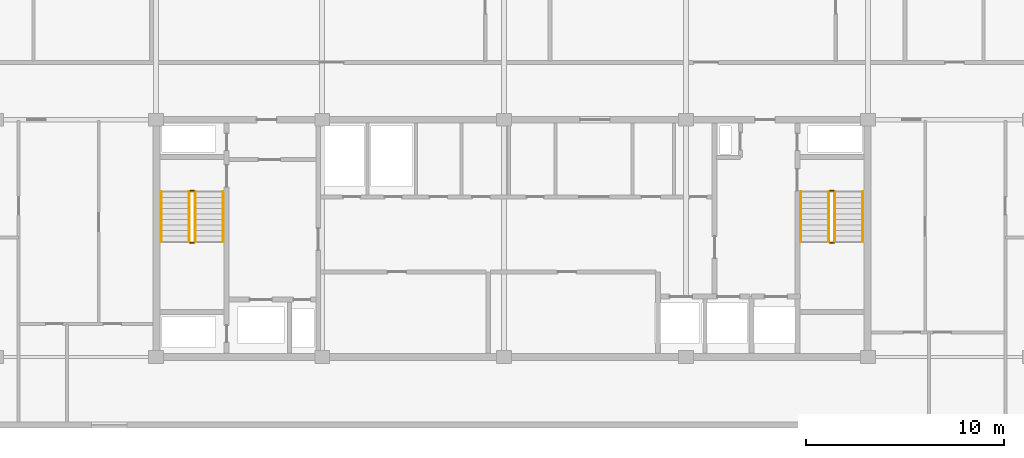
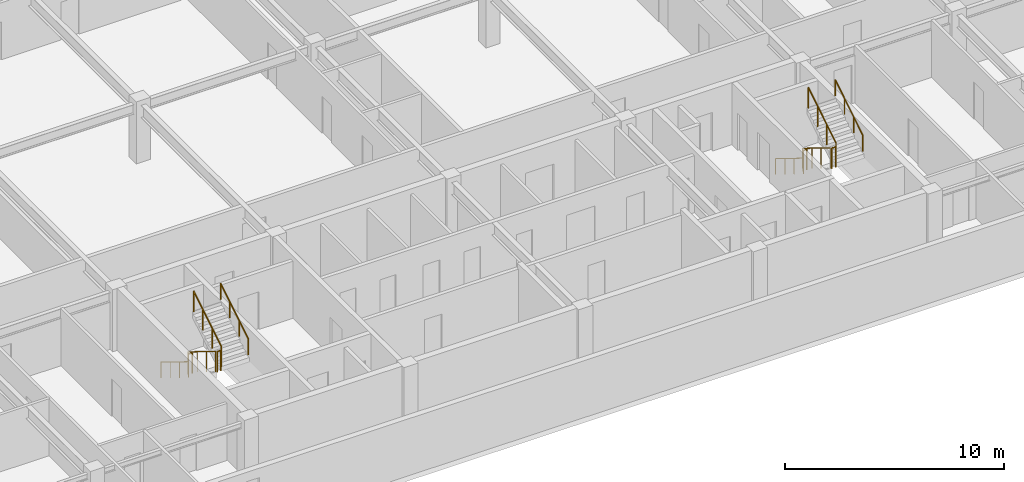
# One storey, part 9 of 10: 12 railings.
"""IFC4 building model written with IfcOpenShell, lengths in metres."""

from ifc_helpers import new_model, si_unit, direction, frame, origin, origin_2d, place, context, subcontext, project, spatial, circle, extrude, material, type_object, element, save


model = new_model("IFC4")

# Units and contexts
model_context = context("Model", 3, precision=1e-05, world=origin(), true_north=direction((0.0, 1.0)))
body_context = subcontext(model_context, "Body", "Model", "MODEL_VIEW")
ifc_project = project(units=[si_unit("LENGTHUNIT", "METRE"), si_unit("AREAUNIT", "SQUARE_METRE"), si_unit("VOLUMEUNIT", "CUBIC_METRE"), si_unit("PLANEANGLEUNIT", "RADIAN"), si_unit("MASSUNIT", "GRAM", prefix="KILO")], contexts=[model_context])

# Site, building, storey
site_placement = place(None, origin())
site = spatial("IfcSite", under=ifc_project, at=site_placement, CompositionType="ELEMENT")
building_placement = place(site_placement, origin())
building = spatial("IfcBuilding", under=site, at=building_placement, Name="Korimba Cascade Residences", CompositionType="ELEMENT")
storey_placement = place(building_placement, frame((0.0, 0.0, 242.449951171875)))
storey = spatial("IfcBuildingStorey", under=building, at=storey_placement, Name="L70", CompositionType="ELEMENT", Elevation=242.449951171875)

# Railings
ifc_material_1 = material(Name="Painted Steel Stairwell Guardrail", Category="steel")
railing_type_1 = type_object("IfcRailingType", Name="RLG-ST-GD1150", PredefinedType="GUARDRAIL", material=ifc_material_1)
railing_1_placement = place(storey_placement, frame((77.77001953125, 63.550048828125, 0.172607421875)))
element("IfcRailing", 1, at=railing_1_placement, inside=storey, type_object=railing_type_1, Name="L70 ST-W1 stair guard 1", PredefinedType="GUARDRAIL", context=body_context, shape_type="SweptSolid", body=[
    extrude(circle(Radius=0.02392578125, at=origin_2d()), frame((0.0, 0.0, 1.1259765625), z_axis=(0.0, -0.851400495292, 0.524516154772), x_axis=(1.0, 0.0, 0.0)), (0.0, 0.0, 1.0), 2.9599609375),
    extrude(circle(Radius=0.02099609375, at=origin_2d()), origin(), (0.0, 0.0, 1.0), 1.101806640625),
    extrude(circle(Radius=0.02099609375, at=origin_2d()), frame((0.0, -0.840087890625, 0.517578125)), (0.0, 0.0, 1.0), 1.101806640625),
    extrude(circle(Radius=0.02099609375, at=origin_2d()), frame((0.0, -1.679931640625, 1.034912109375)), (0.0, 0.0, 1.0), 1.101806640625),
    extrude(circle(Radius=0.02099609375, at=origin_2d()), frame((0.0, -2.52001953125, 1.552490234375)), (0.0, 0.0, 1.0), 1.101806640625),
])
railing_2_placement = place(storey_placement, frame((77.820068359375, 60.97998046875, 1.72509765625)))
element("IfcRailing", 2, at=railing_2_placement, inside=storey, type_object=railing_type_1, Name="L70 ST-W1 stair guard 2", PredefinedType="GUARDRAIL", context=body_context, shape_type="SweptSolid", body=[
    extrude(circle(Radius=0.02392578125, at=origin_2d()), frame((0.0, 0.0, 1.1259765625), z_axis=(1.0, 0.0, 0.0), x_axis=(0.0, 1.0, 0.0)), (0.0, 0.0, 1.0), 0.199951171875),
    extrude(circle(Radius=0.02099609375, at=origin_2d()), origin(), (0.0, 0.0, 1.0), 1.101806640625),
    extrude(circle(Radius=0.02099609375, at=origin_2d()), frame((0.199951171875, 0.0, 0.0)), (0.0, 0.0, 1.0), 1.101806640625),
])
railing_3_placement = place(storey_placement, frame((78.070068359375, 61.030029296875, 1.8974609375)))
element("IfcRailing", 3, at=railing_3_placement, inside=storey, type_object=railing_type_1, Name="L70 ST-W1 stair guard 3", PredefinedType="GUARDRAIL", context=body_context, shape_type="SweptSolid", body=[
    extrude(circle(Radius=0.02392578125, at=origin_2d()), frame((0.0, 0.0, 1.1259765625), z_axis=(0.0, 0.851400495292, 0.524516154772), x_axis=(-1.0, 0.0, 0.0)), (0.0, 0.0, 1.0), 2.9599609375),
    extrude(circle(Radius=0.02099609375, at=origin_2d()), origin(), (0.0, 0.0, 1.0), 1.101806640625),
    extrude(circle(Radius=0.02099609375, at=origin_2d()), frame((0.0, 0.840087890625, 0.517578125)), (0.0, 0.0, 1.0), 1.101806640625),
    extrude(circle(Radius=0.02099609375, at=origin_2d()), frame((0.0, 1.679931640625, 1.034912109375)), (0.0, 0.0, 1.0), 1.101806640625),
    extrude(circle(Radius=0.02099609375, at=origin_2d()), frame((0.0, 2.52001953125, 1.552490234375)), (0.0, 0.0, 1.0), 1.101806640625),
])
railing_4_placement = place(storey_placement, frame((77.820068359375, 63.60009765625, 0.0)))
element("IfcRailing", 4, at=railing_4_placement, inside=storey, type_object=railing_type_1, Name="L70 ST-W1 stair guard 4", PredefinedType="GUARDRAIL", context=body_context, shape_type="SweptSolid", body=[
    extrude(circle(Radius=0.02392578125, at=origin_2d()), frame((0.0, 0.0, 1.1259765625), z_axis=(1.0, 0.0, 0.0), x_axis=(0.0, 1.0, 0.0)), (0.0, 0.0, 1.0), 0.199951171875),
    extrude(circle(Radius=0.02099609375, at=origin_2d()), origin(), (0.0, 0.0, 1.0), 1.101806640625),
    extrude(circle(Radius=0.02099609375, at=origin_2d()), frame((0.199951171875, 0.0, 0.0)), (0.0, 0.0, 1.0), 1.101806640625),
])
railing_5_placement = place(storey_placement, frame((110.1298828125, 63.550048828125, 0.172607421875)))
element("IfcRailing", 5, at=railing_5_placement, inside=storey, type_object=railing_type_1, Name="L70 ST-W2 stair guard 1", PredefinedType="GUARDRAIL", context=body_context, shape_type="SweptSolid", body=[
    extrude(circle(Radius=0.02392578125, at=origin_2d()), frame((0.0, 0.0, 1.1259765625), z_axis=(0.0, -0.851400495292, 0.524516154772), x_axis=(1.0, 0.0, 0.0)), (0.0, 0.0, 1.0), 2.9599609375),
    extrude(circle(Radius=0.02099609375, at=origin_2d()), origin(), (0.0, 0.0, 1.0), 1.101806640625),
    extrude(circle(Radius=0.02099609375, at=origin_2d()), frame((0.0, -0.840087890625, 0.517578125)), (0.0, 0.0, 1.0), 1.101806640625),
    extrude(circle(Radius=0.02099609375, at=origin_2d()), frame((0.0, -1.679931640625, 1.034912109375)), (0.0, 0.0, 1.0), 1.101806640625),
    extrude(circle(Radius=0.02099609375, at=origin_2d()), frame((0.0, -2.52001953125, 1.552490234375)), (0.0, 0.0, 1.0), 1.101806640625),
])
railing_6_placement = place(storey_placement, frame((110.179931640625, 60.97998046875, 1.72509765625)))
element("IfcRailing", 6, at=railing_6_placement, inside=storey, type_object=railing_type_1, Name="L70 ST-W2 stair guard 2", PredefinedType="GUARDRAIL", context=body_context, shape_type="SweptSolid", body=[
    extrude(circle(Radius=0.02392578125, at=origin_2d()), frame((0.0, 0.0, 1.1259765625), z_axis=(1.0, 0.0, 0.0), x_axis=(0.0, 1.0, 0.0)), (0.0, 0.0, 1.0), 0.199951171875),
    extrude(circle(Radius=0.02099609375, at=origin_2d()), origin(), (0.0, 0.0, 1.0), 1.101806640625),
    extrude(circle(Radius=0.02099609375, at=origin_2d()), frame((0.199951171875, 0.0, 0.0)), (0.0, 0.0, 1.0), 1.101806640625),
])
railing_7_placement = place(storey_placement, frame((110.429931640625, 61.030029296875, 1.8974609375)))
element("IfcRailing", 7, at=railing_7_placement, inside=storey, type_object=railing_type_1, Name="L70 ST-W2 stair guard 3", PredefinedType="GUARDRAIL", context=body_context, shape_type="SweptSolid", body=[
    extrude(circle(Radius=0.02392578125, at=origin_2d()), frame((0.0, 0.0, 1.1259765625), z_axis=(0.0, 0.851400495292, 0.524516154772), x_axis=(-1.0, 0.0, 0.0)), (0.0, 0.0, 1.0), 2.9599609375),
    extrude(circle(Radius=0.02099609375, at=origin_2d()), origin(), (0.0, 0.0, 1.0), 1.101806640625),
    extrude(circle(Radius=0.02099609375, at=origin_2d()), frame((0.0, 0.840087890625, 0.517578125)), (0.0, 0.0, 1.0), 1.101806640625),
    extrude(circle(Radius=0.02099609375, at=origin_2d()), frame((0.0, 1.679931640625, 1.034912109375)), (0.0, 0.0, 1.0), 1.101806640625),
    extrude(circle(Radius=0.02099609375, at=origin_2d()), frame((0.0, 2.52001953125, 1.552490234375)), (0.0, 0.0, 1.0), 1.101806640625),
])
railing_8_placement = place(storey_placement, frame((110.179931640625, 63.60009765625, 0.0)))
element("IfcRailing", 8, at=railing_8_placement, inside=storey, type_object=railing_type_1, Name="L70 ST-W2 stair guard 4", PredefinedType="GUARDRAIL", context=body_context, shape_type="SweptSolid", body=[
    extrude(circle(Radius=0.02392578125, at=origin_2d()), frame((0.0, 0.0, 1.1259765625), z_axis=(1.0, 0.0, 0.0), x_axis=(0.0, 1.0, 0.0)), (0.0, 0.0, 1.0), 0.199951171875),
    extrude(circle(Radius=0.02099609375, at=origin_2d()), origin(), (0.0, 0.0, 1.0), 1.101806640625),
    extrude(circle(Radius=0.02099609375, at=origin_2d()), frame((0.199951171875, 0.0, 0.0)), (0.0, 0.0, 1.0), 1.101806640625),
])
ifc_material_2 = material(Name="Brushed Stainless Steel Handrail", Category="steel")
railing_type_2 = type_object("IfcRailingType", Name="RLG-ST-HR900", PredefinedType="HANDRAIL", material=ifc_material_2)
railing_9_placement = place(storey_placement, frame((76.35009765625, 63.550048828125, 0.3486328125)))
element("IfcRailing", 9, at=railing_9_placement, inside=storey, type_object=railing_type_2, Name="L70 ST-W1 stair handrail 1", PredefinedType="HANDRAIL", context=body_context, shape_type="SweptSolid", body=[
    extrude(circle(Radius=0.02392578125, at=origin_2d()), frame((0.0, 0.0, 0.8759765625), z_axis=(0.0, -0.851400495292, 0.524516154772), x_axis=(1.0, 0.0, 0.0)), (0.0, 0.0, 1.0), 2.9599609375),
    extrude(circle(Radius=0.02099609375, at=origin_2d()), origin(), (0.0, 0.0, 1.0), 0.851806640625),
    extrude(circle(Radius=0.02099609375, at=origin_2d()), frame((0.0, -0.840087890625, 0.517578125)), (0.0, 0.0, 1.0), 0.851806640625),
    extrude(circle(Radius=0.02099609375, at=origin_2d()), frame((0.0, -1.679931640625, 1.034912109375)), (0.0, 0.0, 1.0), 0.851806640625),
    extrude(circle(Radius=0.02099609375, at=origin_2d()), frame((0.0, -2.52001953125, 1.552490234375)), (0.0, 0.0, 1.0), 0.851806640625),
])
railing_10_placement = place(storey_placement, frame((79.489990234375, 61.030029296875, 2.07373046875)))
element("IfcRailing", 10, at=railing_10_placement, inside=storey, type_object=railing_type_2, Name="L70 ST-W1 stair handrail 2", PredefinedType="HANDRAIL", context=body_context, shape_type="SweptSolid", body=[
    extrude(circle(Radius=0.02392578125, at=origin_2d()), frame((0.0, 0.0, 0.8759765625), z_axis=(0.0, 0.851400495292, 0.524516154772), x_axis=(-1.0, 0.0, 0.0)), (0.0, 0.0, 1.0), 2.9599609375),
    extrude(circle(Radius=0.02099609375, at=origin_2d()), origin(), (0.0, 0.0, 1.0), 0.851806640625),
    extrude(circle(Radius=0.02099609375, at=origin_2d()), frame((0.0, 0.840087890625, 0.517578125)), (0.0, 0.0, 1.0), 0.851806640625),
    extrude(circle(Radius=0.02099609375, at=origin_2d()), frame((0.0, 1.679931640625, 1.034912109375)), (0.0, 0.0, 1.0), 0.851806640625),
    extrude(circle(Radius=0.02099609375, at=origin_2d()), frame((0.0, 2.52001953125, 1.552490234375)), (0.0, 0.0, 1.0), 0.851806640625),
])
railing_11_placement = place(storey_placement, frame((108.7099609375, 63.550048828125, 0.3486328125)))
element("IfcRailing", 11, at=railing_11_placement, inside=storey, type_object=railing_type_2, Name="L70 ST-W2 stair handrail 1", PredefinedType="HANDRAIL", context=body_context, shape_type="SweptSolid", body=[
    extrude(circle(Radius=0.02392578125, at=origin_2d()), frame((0.0, 0.0, 0.8759765625), z_axis=(0.0, -0.851400495292, 0.524516154772), x_axis=(1.0, 0.0, 0.0)), (0.0, 0.0, 1.0), 2.9599609375),
    extrude(circle(Radius=0.02099609375, at=origin_2d()), origin(), (0.0, 0.0, 1.0), 0.851806640625),
    extrude(circle(Radius=0.02099609375, at=origin_2d()), frame((0.0, -0.840087890625, 0.517578125)), (0.0, 0.0, 1.0), 0.851806640625),
    extrude(circle(Radius=0.02099609375, at=origin_2d()), frame((0.0, -1.679931640625, 1.034912109375)), (0.0, 0.0, 1.0), 0.851806640625),
    extrude(circle(Radius=0.02099609375, at=origin_2d()), frame((0.0, -2.52001953125, 1.552490234375)), (0.0, 0.0, 1.0), 0.851806640625),
])
railing_12_placement = place(storey_placement, frame((111.85009765625, 61.030029296875, 2.07373046875)))
element("IfcRailing", 12, at=railing_12_placement, inside=storey, type_object=railing_type_2, Name="L70 ST-W2 stair handrail 2", PredefinedType="HANDRAIL", context=body_context, shape_type="SweptSolid", body=[
    extrude(circle(Radius=0.02392578125, at=origin_2d()), frame((0.0, 0.0, 0.8759765625), z_axis=(0.0, 0.851400495292, 0.524516154772), x_axis=(-1.0, 0.0, 0.0)), (0.0, 0.0, 1.0), 2.9599609375),
    extrude(circle(Radius=0.02099609375, at=origin_2d()), origin(), (0.0, 0.0, 1.0), 0.851806640625),
    extrude(circle(Radius=0.02099609375, at=origin_2d()), frame((0.0, 0.840087890625, 0.517578125)), (0.0, 0.0, 1.0), 0.851806640625),
    extrude(circle(Radius=0.02099609375, at=origin_2d()), frame((0.0, 1.679931640625, 1.034912109375)), (0.0, 0.0, 1.0), 0.851806640625),
    extrude(circle(Radius=0.02099609375, at=origin_2d()), frame((0.0, 2.52001953125, 1.552490234375)), (0.0, 0.0, 1.0), 0.851806640625),
])

save(model, "model.ifc")
